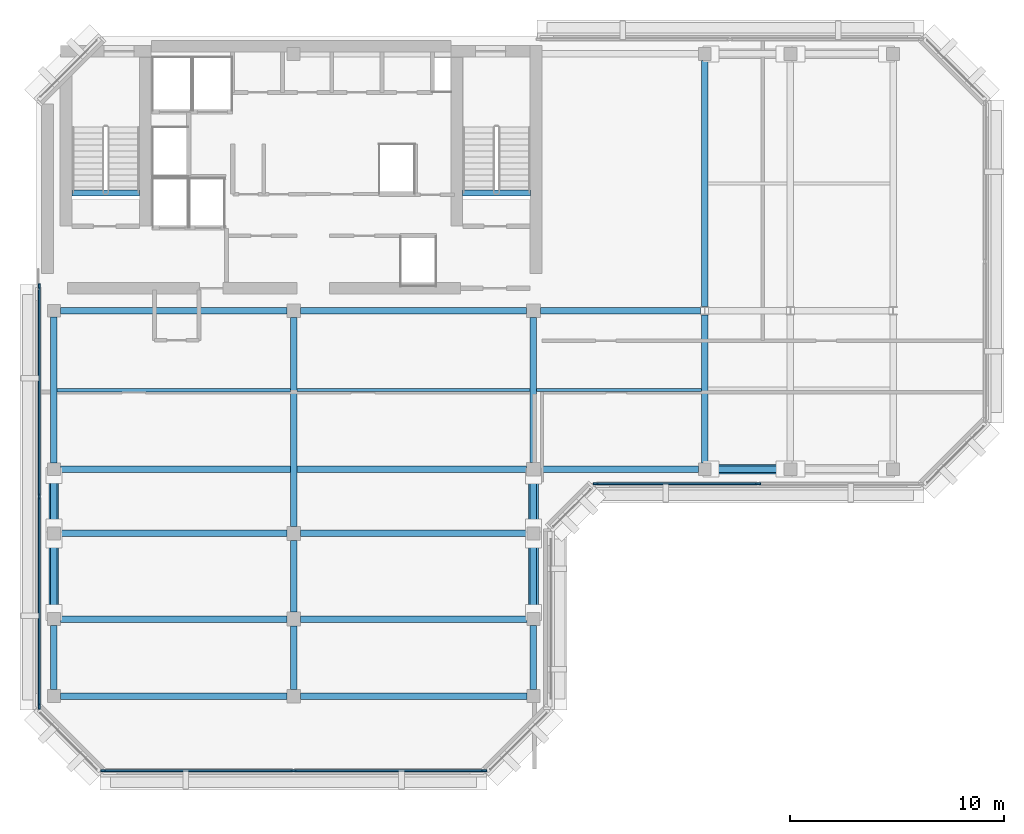
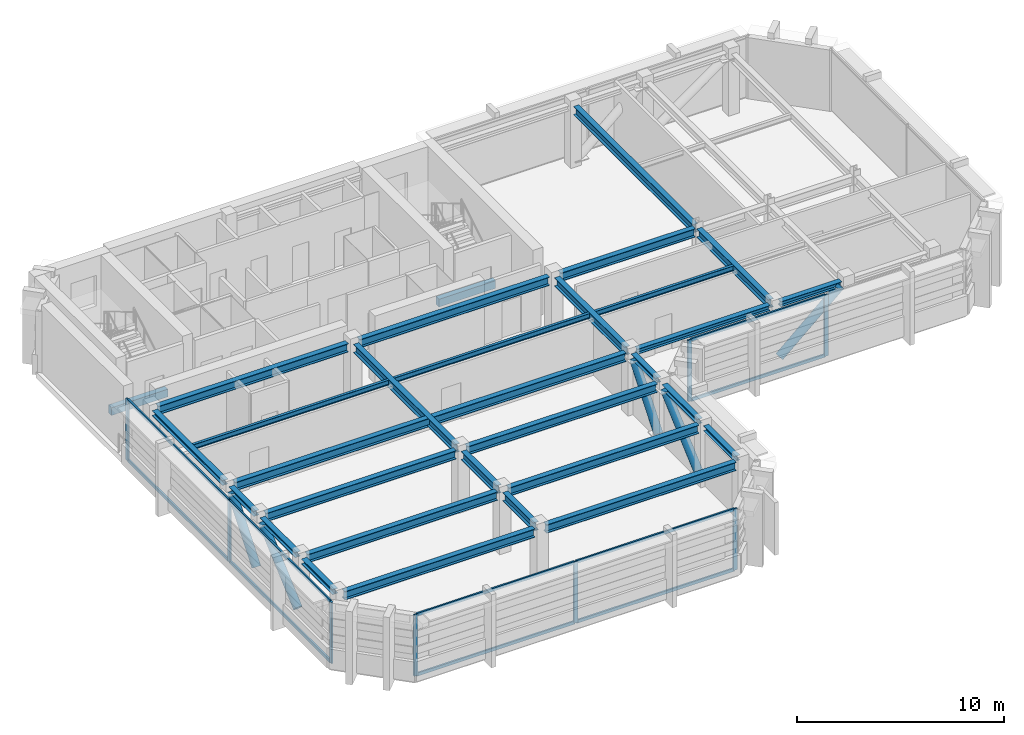
# One storey, part 2 of 9: 30 beams, 23 members, 3 elements without a shape of their own.
"""IFC4 building model written with IfcOpenShell, lengths in metres."""

from ifc_helpers import new_model, si_unit, direction, frame, origin, origin_2d, place, context, subcontext, project, spatial, rectangle, hollow_circle, i_section, extrude, material, layer, layer_set, material_profile, profile_set, type_object, element, aggregate, save


model = new_model("IFC4")

# Units and contexts
model_context = context("Model", 3, precision=1e-05, world=origin(), true_north=direction((0.0, 1.0)))
body_context = subcontext(model_context, "Body", "Model", "MODEL_VIEW")
ifc_project = project(units=[si_unit("LENGTHUNIT", "METRE"), si_unit("AREAUNIT", "SQUARE_METRE"), si_unit("VOLUMEUNIT", "CUBIC_METRE"), si_unit("PLANEANGLEUNIT", "RADIAN"), si_unit("MASSUNIT", "GRAM", prefix="KILO")], contexts=[model_context])

# Site, building, storey
site_placement = place(None, origin())
site = spatial("IfcSite", under=ifc_project, at=site_placement, CompositionType="ELEMENT")
building_placement = place(site_placement, origin())
building = spatial("IfcBuilding", under=site, at=building_placement, Name="Kefirva Bronze Tower", CompositionType="ELEMENT")
storey_placement = place(building_placement, frame((0.0, 0.0, 365.969970703125)))
storey = spatial("IfcBuildingStorey", under=building, at=storey_placement, Name="L89", CompositionType="ELEMENT", Elevation=365.969970703125)

# Curtain wall, members
ifc_material_1 = material(Name="Bronze anodised aluminium", Category="aluminium")
ifc_layer = layer(ifc_material_1, 0.219970703125, Name="Bronze anodised aluminium")
ifc_layer_set = layer_set([ifc_layer], Name="Bronze anodised aluminium")
curtain_wall_type = type_object("IfcCurtainWallType", Name="Refuge Acoustic Louvre Curtain Screen", PredefinedType="USERDEFINED", material=ifc_layer_set)
curtain_wall_1_placement = place(storey_placement, origin())
curtain_wall_1 = element("IfcCurtainWall", 1, at=curtain_wall_1_placement, inside=storey, type_object=curtain_wall_type, Name="L89 Curtain Wall 1", ObjectType="LOUVRE SCREEN WALL", PredefinedType="USERDEFINED")
ifc_material_profile_1 = material_profile(ifc_material_1, rectangle(XDim=0.090087890625, YDim=0.219970703125, at=origin_2d()), Name="ALU 90x220")
ifc_profile_set_1 = profile_set([ifc_material_profile_1], Name="Bronze anodised aluminium")
member_type_1 = type_object("IfcMemberType", Name="Bronze Mullion 90x220", PredefinedType="MULLION", material=ifc_profile_set_1)
member_1_placement = place(storey_placement, frame((3.10009765625, 11.719970703125, 0.0), z_axis=(0.0, 0.0, 1.0), x_axis=(0.0, 1.0, 0.0)))
member_1 = element("IfcMember", 2, at=member_1_placement, type_object=member_type_1, Name="CW-06 mullion 1", PredefinedType="MULLION", context=body_context, shape_type="SweptSolid", body=[
    extrude(rectangle(XDim=0.090087890625, YDim=0.219970703125, at=origin_2d()), origin(), (0.0, 0.0, 1.0), 3.610107421875),
])
member_2_placement = place(storey_placement, frame((12.0, 11.719970703125, 0.0), z_axis=(0.0, 0.0, 1.0), x_axis=(0.0, 1.0, 0.0)))
member_2 = element("IfcMember", 3, at=member_2_placement, type_object=member_type_1, Name="CW-06 mullion 2", PredefinedType="MULLION", context=body_context, shape_type="SweptSolid", body=[
    extrude(rectangle(XDim=0.090087890625, YDim=0.219970703125, at=origin_2d()), origin(), (0.0, 0.0, 1.0), 3.610107421875),
])
member_3_placement = place(storey_placement, frame((20.89990234375, 11.719970703125, 0.0), z_axis=(0.0, 0.0, 1.0), x_axis=(0.0, 1.0, 0.0)))
member_3 = element("IfcMember", 4, at=member_3_placement, type_object=member_type_1, Name="CW-06 mullion 3", PredefinedType="MULLION", context=body_context, shape_type="SweptSolid", body=[
    extrude(rectangle(XDim=0.090087890625, YDim=0.219970703125, at=origin_2d()), origin(), (0.0, 0.0, 1.0), 3.610107421875),
])

curtain_wall_2_placement = place(storey_placement, origin())
curtain_wall_2 = element("IfcCurtainWall", 5, at=curtain_wall_2_placement, inside=storey, type_object=curtain_wall_type, Name="L89 Curtain Wall 2", ObjectType="LOUVRE SCREEN WALL", PredefinedType="USERDEFINED")
member_4_placement = place(storey_placement, frame((26.10009765625, 25.1201171875, 0.0), z_axis=(0.0, 0.0, 1.0), x_axis=(0.0, 1.0, 0.0)))
member_4 = element("IfcMember", 6, at=member_4_placement, type_object=member_type_1, Name="CW-06 mullion 1", PredefinedType="MULLION", context=body_context, shape_type="SweptSolid", body=[
    extrude(rectangle(XDim=0.090087890625, YDim=0.219970703125, at=origin_2d()), origin(), (0.0, 0.0, 1.0), 3.610107421875),
])
member_5_placement = place(storey_placement, frame((33.699951171875, 25.1201171875, 0.0), z_axis=(0.0, 0.0, 1.0), x_axis=(0.0, 1.0, 0.0)))
member_5 = element("IfcMember", 7, at=member_5_placement, type_object=member_type_1, Name="CW-06 mullion 2", PredefinedType="MULLION", context=body_context, shape_type="SweptSolid", body=[
    extrude(rectangle(XDim=0.090087890625, YDim=0.219970703125, at=origin_2d()), origin(), (0.0, 0.0, 1.0), 3.610107421875),
])

curtain_wall_3_placement = place(storey_placement, origin())
curtain_wall_3 = element("IfcCurtainWall", 8, at=curtain_wall_3_placement, inside=storey, type_object=curtain_wall_type, Name="L89 Curtain Wall 5", ObjectType="LOUVRE SCREEN WALL", PredefinedType="USERDEFINED")
member_6_placement = place(storey_placement, frame((0.1201171875, 34.35009765625, 0.0), z_axis=(0.0, 0.0, 1.0), x_axis=(1.0, 0.0, 0.0)))
member_6 = element("IfcMember", 9, at=member_6_placement, type_object=member_type_1, Name="CW-06 mullion 1", PredefinedType="MULLION", context=body_context, shape_type="SweptSolid", body=[
    extrude(rectangle(XDim=0.090087890625, YDim=0.219970703125, at=origin_2d()), origin(), (0.0, 0.0, 1.0), 3.610107421875),
])
member_7_placement = place(storey_placement, frame((0.1201171875, 24.52490234375, 0.0), z_axis=(0.0, 0.0, 1.0), x_axis=(1.0, 0.0, 0.0)))
member_7 = element("IfcMember", 10, at=member_7_placement, type_object=member_type_1, Name="CW-06 mullion 2", PredefinedType="MULLION", context=body_context, shape_type="SweptSolid", body=[
    extrude(rectangle(XDim=0.090087890625, YDim=0.219970703125, at=origin_2d()), origin(), (0.0, 0.0, 1.0), 3.610107421875),
])
member_8_placement = place(storey_placement, frame((0.1201171875, 14.699951171875, 0.0), z_axis=(0.0, 0.0, 1.0), x_axis=(1.0, 0.0, 0.0)))
member_8 = element("IfcMember", 11, at=member_8_placement, type_object=member_type_1, Name="CW-06 mullion 3", PredefinedType="MULLION", context=body_context, shape_type="SweptSolid", body=[
    extrude(rectangle(XDim=0.090087890625, YDim=0.219970703125, at=origin_2d()), origin(), (0.0, 0.0, 1.0), 3.610107421875),
])

# Member
ifc_material_profile_2 = material_profile(ifc_material_1, rectangle(XDim=0.090087890625, YDim=0.179931640625, at=origin_2d()), Name="ALU 90x180")
ifc_profile_set_2 = profile_set([ifc_material_profile_2], Name="Bronze anodised aluminium")
member_type_2 = type_object("IfcMemberType", Name="Bronze Transom 90x180", PredefinedType="USERDEFINED", material=ifc_profile_set_2)
member_9_placement = place(storey_placement, frame((3.14501953125, 11.719970703125, 0.044921875), z_axis=(1.0, 0.0, 0.0), x_axis=(0.0, 1.0, 0.0)))
member_9 = element("IfcMember", 12, at=member_9_placement, type_object=member_type_2, Name="CW-06 transom 1.1", ObjectType="TRANSOM", PredefinedType="USERDEFINED", context=body_context, shape_type="SweptSolid", body=[
    extrude(rectangle(XDim=0.090087890625, YDim=0.179931640625, at=origin_2d()), origin(), (0.0, 0.0, 1.0), 8.81005859375),
])

member_10_placement = place(storey_placement, frame((3.14501953125, 11.719970703125, 3.56494140625), z_axis=(1.0, 0.0, 0.0), x_axis=(0.0, 1.0, 0.0)))
member_10 = element("IfcMember", 13, at=member_10_placement, type_object=member_type_2, Name="CW-06 transom 1.2", ObjectType="TRANSOM", PredefinedType="USERDEFINED", context=body_context, shape_type="SweptSolid", body=[
    extrude(rectangle(XDim=0.090087890625, YDim=0.179931640625, at=origin_2d()), origin(), (0.0, 0.0, 1.0), 8.81005859375),
])

member_11_placement = place(storey_placement, frame((12.044921875, 11.719970703125, 0.044921875), z_axis=(1.0, 0.0, 0.0), x_axis=(0.0, 1.0, 0.0)))
member_11 = element("IfcMember", 14, at=member_11_placement, type_object=member_type_2, Name="CW-06 transom 2.1", ObjectType="TRANSOM", PredefinedType="USERDEFINED", context=body_context, shape_type="SweptSolid", body=[
    extrude(rectangle(XDim=0.090087890625, YDim=0.179931640625, at=origin_2d()), origin(), (0.0, 0.0, 1.0), 8.81005859375),
])

member_12_placement = place(storey_placement, frame((12.044921875, 11.719970703125, 3.56494140625), z_axis=(1.0, 0.0, 0.0), x_axis=(0.0, 1.0, 0.0)))
member_12 = element("IfcMember", 15, at=member_12_placement, type_object=member_type_2, Name="CW-06 transom 2.2", ObjectType="TRANSOM", PredefinedType="USERDEFINED", context=body_context, shape_type="SweptSolid", body=[
    extrude(rectangle(XDim=0.090087890625, YDim=0.179931640625, at=origin_2d()), origin(), (0.0, 0.0, 1.0), 8.81005859375),
])

aggregate(curtain_wall_1, [member_1, member_2, member_3, member_9, member_10, member_11, member_12])

member_13_placement = place(storey_placement, frame((26.14501953125, 25.1201171875, 0.044921875), z_axis=(1.0, 0.0, 0.0), x_axis=(0.0, 1.0, 0.0)))
member_13 = element("IfcMember", 16, at=member_13_placement, type_object=member_type_2, Name="CW-06 transom 1.1", ObjectType="TRANSOM", PredefinedType="USERDEFINED", context=body_context, shape_type="SweptSolid", body=[
    extrude(rectangle(XDim=0.090087890625, YDim=0.179931640625, at=origin_2d()), origin(), (0.0, 0.0, 1.0), 7.510009765625),
])

member_14_placement = place(storey_placement, frame((26.14501953125, 25.1201171875, 3.56494140625), z_axis=(1.0, 0.0, 0.0), x_axis=(0.0, 1.0, 0.0)))
member_14 = element("IfcMember", 17, at=member_14_placement, type_object=member_type_2, Name="CW-06 transom 1.2", ObjectType="TRANSOM", PredefinedType="USERDEFINED", context=body_context, shape_type="SweptSolid", body=[
    extrude(rectangle(XDim=0.090087890625, YDim=0.179931640625, at=origin_2d()), origin(), (0.0, 0.0, 1.0), 7.510009765625),
])

aggregate(curtain_wall_2, [member_4, member_5, member_13, member_14])

member_15_placement = place(storey_placement, frame((0.1201171875, 34.304931640625, 0.044921875), z_axis=(0.0, -1.0, 0.0), x_axis=(1.0, 0.0, 0.0)))
member_15 = element("IfcMember", 18, at=member_15_placement, type_object=member_type_2, Name="CW-06 transom 1.1", ObjectType="TRANSOM", PredefinedType="USERDEFINED", context=body_context, shape_type="SweptSolid", body=[
    extrude(rectangle(XDim=0.090087890625, YDim=0.179931640625, at=origin_2d()), origin(), (0.0, 0.0, 1.0), 9.73486328125),
])

member_16_placement = place(storey_placement, frame((0.1201171875, 34.304931640625, 3.56494140625), z_axis=(0.0, -1.0, 0.0), x_axis=(1.0, 0.0, 0.0)))
member_16 = element("IfcMember", 19, at=member_16_placement, type_object=member_type_2, Name="CW-06 transom 1.2", ObjectType="TRANSOM", PredefinedType="USERDEFINED", context=body_context, shape_type="SweptSolid", body=[
    extrude(rectangle(XDim=0.090087890625, YDim=0.179931640625, at=origin_2d()), origin(), (0.0, 0.0, 1.0), 9.73486328125),
])

member_17_placement = place(storey_placement, frame((0.1201171875, 24.47998046875, 0.044921875), z_axis=(0.0, -1.0, 0.0), x_axis=(1.0, 0.0, 0.0)))
member_17 = element("IfcMember", 20, at=member_17_placement, type_object=member_type_2, Name="CW-06 transom 2.1", ObjectType="TRANSOM", PredefinedType="USERDEFINED", context=body_context, shape_type="SweptSolid", body=[
    extrude(rectangle(XDim=0.090087890625, YDim=0.179931640625, at=origin_2d()), origin(), (0.0, 0.0, 1.0), 9.73486328125),
])

member_18_placement = place(storey_placement, frame((0.1201171875, 24.47998046875, 3.56494140625), z_axis=(0.0, -1.0, 0.0), x_axis=(1.0, 0.0, 0.0)))
member_18 = element("IfcMember", 21, at=member_18_placement, type_object=member_type_2, Name="CW-06 transom 2.2", ObjectType="TRANSOM", PredefinedType="USERDEFINED", context=body_context, shape_type="SweptSolid", body=[
    extrude(rectangle(XDim=0.090087890625, YDim=0.179931640625, at=origin_2d()), origin(), (0.0, 0.0, 1.0), 9.73486328125),
])

aggregate(curtain_wall_3, [member_6, member_7, member_8, member_15, member_16, member_17, member_18])

# Beams
ifc_material_2 = material(Name="Concrete C50/60", Category="concrete")
ifc_material_profile_3 = material_profile(ifc_material_2, rectangle(XDim=0.300048828125, YDim=0.449951171875, at=origin_2d()), Name="RC 300x450")
ifc_profile_set_3 = profile_set([ifc_material_profile_3], Name="Concrete C50/60")
beam_type_1 = type_object("IfcBeamType", Name="RC Stair Trimmer Beam 300x450", PredefinedType="BEAM", material=ifc_profile_set_3)
beam_1_placement = place(storey_placement, frame((1.64501953125, 38.699951171875, -0.224853515625), z_axis=(1.0, 0.0, 0.0), x_axis=(0.0, 1.0, 0.0)))
element("IfcBeam", 22, at=beam_1_placement, inside=storey, type_object=beam_type_1, Name="L89 Stair 1 Landing Trimmer Beam", PredefinedType="BEAM", context=body_context, shape_type="SweptSolid", body=[
    extrude(rectangle(XDim=0.300048828125, YDim=0.449951171875, at=origin_2d()), origin(), (0.0, 0.0, 1.0), 3.14990234375),
])
beam_2_placement = place(storey_placement, frame((19.89501953125, 38.699951171875, -0.224853515625), z_axis=(1.0, 0.0, 0.0), x_axis=(0.0, 1.0, 0.0)))
element("IfcBeam", 23, at=beam_2_placement, inside=storey, type_object=beam_type_1, Name="L89 Stair 2 Landing Trimmer Beam", PredefinedType="BEAM", context=body_context, shape_type="SweptSolid", body=[
    extrude(rectangle(XDim=0.300048828125, YDim=0.449951171875, at=origin_2d()), origin(), (0.0, 0.0, 1.0), 3.159912109375),
])
ifc_material_3 = material(Name="Steel S355", Category="steel")
ifc_material_profile_4 = material_profile(ifc_material_3, i_section(OverallWidth=0.14990234375, OverallDepth=0.300048828125, WebThickness=0.007080078125, FlangeThickness=0.0107421875, at=origin_2d()), Name="IPE 300")
ifc_profile_set_4 = profile_set([ifc_material_profile_4], Name="Steel S355")
beam_type_2 = type_object("IfcBeamType", Name="Steel Floor Joist IPE 300", PredefinedType="JOIST", material=ifc_profile_set_4)
for number, where, z_axis, x_axis, name in (
    (24, (0.949951171875, 29.489990234375, 3.4599609375), (1.0, 0.0, 0.0), (0.0, 1.0, 0.0), "L89 JST-L89-0-294"),
    (25, (12.14990234375, 29.5, 3.4599609375), (1.0, 0.0, 0.0), (0.0, 1.0, 0.0), "L89 JST-L89-12-295"),
):
    element("IfcBeam", number, at=place(storey_placement, frame(where, z_axis=z_axis, x_axis=x_axis)), inside=storey, type_object=beam_type_2, Name=name, PredefinedType="JOIST", context=body_context, shape_type="SweptSolid", body=[
        extrude(i_section(OverallWidth=0.14990234375, OverallDepth=0.300048828125, WebThickness=0.007080078125, FlangeThickness=0.0107421875, at=origin_2d()), origin(), (0.0, 0.0, 1.0), 10.900146484375),
    ])
beam_3_placement = place(storey_placement, frame((23.35009765625, 29.5, 3.4599609375), z_axis=(1.0, 0.0, 0.0), x_axis=(0.0, 1.0, 0.0)))
element("IfcBeam", 26, at=beam_3_placement, inside=storey, type_object=beam_type_2, Name="L89 JST-L89-23-295", PredefinedType="JOIST", context=body_context, shape_type="SweptSolid", body=[
    extrude(i_section(OverallWidth=0.14990234375, OverallDepth=0.300048828125, WebThickness=0.007080078125, FlangeThickness=0.0107421875, at=origin_2d()), origin(), (0.0, 0.0, 1.0), 7.699951171875),
])
ifc_material_profile_5 = material_profile(ifc_material_3, i_section(OverallWidth=0.300048828125, OverallDepth=0.5, WebThickness=0.014404296875, FlangeThickness=0.028076171875, at=origin_2d()), Name="HEB 500")
ifc_profile_set_5 = profile_set([ifc_material_profile_5], Name="Steel S355")
beam_type_3 = type_object("IfcBeamType", Name="Steel Girder HEB 500", PredefinedType="USERDEFINED", material=ifc_profile_set_5)
for number, where, z_axis, x_axis, name in (
    (27, (1.10009765625, 15.199951171875, 3.360107421875), (1.0, 0.0, 0.0), (0.0, 1.0, 0.0), "L89 BM-L89-EW-0-152"),
    (28, (12.320068359375, 15.199951171875, 3.360107421875), (1.0, 0.0, 0.0), (0.0, 1.0, 0.0), "L89 BM-L89-EW-12-152"),
    (29, (1.10009765625, 18.800048828125, 3.360107421875), (1.0, 0.0, 0.0), (0.0, 1.0, 0.0), "L89 BM-L89-EW-0-188"),
    (30, (12.320068359375, 18.800048828125, 3.360107421875), (1.0, 0.0, 0.0), (0.0, 1.0, 0.0), "L89 BM-L89-EW-12-188"),
    (31, (1.10009765625, 22.800048828125, 3.360107421875), (1.0, 0.0, 0.0), (0.0, 1.0, 0.0), "L89 BM-L89-EW-0-228"),
    (32, (12.320068359375, 22.800048828125, 3.360107421875), (1.0, 0.0, 0.0), (0.0, 1.0, 0.0), "L89 BM-L89-EW-12-228"),
):
    element("IfcBeam", number, at=place(storey_placement, frame(where, z_axis=z_axis, x_axis=x_axis)), inside=storey, type_object=beam_type_3, Name=name, ObjectType="GIRDER", PredefinedType="USERDEFINED", context=body_context, shape_type="SweptSolid", body=[
        extrude(i_section(OverallWidth=0.300048828125, OverallDepth=0.5, WebThickness=0.014404296875, FlangeThickness=0.028076171875, at=origin_2d()), origin(), (0.0, 0.0, 1.0), 10.579833984375),
    ])
beam_4_placement = place(storey_placement, frame((1.10009765625, 25.800048828125, 3.360107421875), z_axis=(1.0, 0.0, 0.0), x_axis=(0.0, 1.0, 0.0)))
element("IfcBeam", 33, at=beam_4_placement, inside=storey, type_object=beam_type_3, Name="L89 BM-L89-EW-0-258", ObjectType="GIRDER", PredefinedType="USERDEFINED", context=body_context, shape_type="SweptSolid", body=[
    extrude(i_section(OverallWidth=0.300048828125, OverallDepth=0.5, WebThickness=0.014404296875, FlangeThickness=0.028076171875, at=origin_2d()), origin(), (0.0, 0.0, 1.0), 21.77978515625),
])
beam_5_placement = place(storey_placement, frame((1.10009765625, 33.199951171875, 3.360107421875), z_axis=(1.0, 0.0, 0.0), x_axis=(0.0, 1.0, 0.0)))
element("IfcBeam", 34, at=beam_5_placement, inside=storey, type_object=beam_type_3, Name="L89 BM-L89-EW-0-332", ObjectType="GIRDER", PredefinedType="USERDEFINED", context=body_context, shape_type="SweptSolid", body=[
    extrude(i_section(OverallWidth=0.300048828125, OverallDepth=0.5, WebThickness=0.014404296875, FlangeThickness=0.028076171875, at=origin_2d()), origin(), (0.0, 0.0, 1.0), 10.579833984375),
])
beam_6_placement = place(storey_placement, frame((12.320068359375, 33.199951171875, 3.360107421875), z_axis=(1.0, 0.0, 0.0), x_axis=(0.0, 1.0, 0.0)))
element("IfcBeam", 35, at=beam_6_placement, inside=storey, type_object=beam_type_3, Name="L89 BM-L89-EW-12-332", ObjectType="GIRDER", PredefinedType="USERDEFINED", context=body_context, shape_type="SweptSolid", body=[
    extrude(i_section(OverallWidth=0.300048828125, OverallDepth=0.5, WebThickness=0.014404296875, FlangeThickness=0.028076171875, at=origin_2d()), origin(), (0.0, 0.0, 1.0), 10.559814453125),
])
beam_7_placement = place(storey_placement, frame((23.52001953125, 33.199951171875, 3.360107421875), z_axis=(1.0, 0.0, 0.0), x_axis=(0.0, 1.0, 0.0)))
element("IfcBeam", 36, at=beam_7_placement, inside=storey, type_object=beam_type_3, Name="L89 BM-L89-EW-23-332", ObjectType="GIRDER", PredefinedType="USERDEFINED", context=body_context, shape_type="SweptSolid", body=[
    extrude(i_section(OverallWidth=0.300048828125, OverallDepth=0.5, WebThickness=0.014404296875, FlangeThickness=0.028076171875, at=origin_2d()), origin(), (0.0, 0.0, 1.0), 7.491455078125),
])
beam_8_placement = place(storey_placement, frame((12.0, 15.52001953125, 3.360107421875), z_axis=(0.0, 1.0, 0.0), x_axis=(-1.0, 0.0, 0.0)))
element("IfcBeam", 37, at=beam_8_placement, inside=storey, type_object=beam_type_3, Name="L89 BM-L89-NS-120-15", ObjectType="GIRDER", PredefinedType="USERDEFINED", context=body_context, shape_type="SweptSolid", body=[
    extrude(i_section(OverallWidth=0.300048828125, OverallDepth=0.5, WebThickness=0.014404296875, FlangeThickness=0.028076171875, at=origin_2d()), origin(), (0.0, 0.0, 1.0), 2.9599609375),
])
beam_9_placement = place(storey_placement, frame((12.0, 19.1201171875, 3.360107421875), z_axis=(0.0, 1.0, 0.0), x_axis=(-1.0, 0.0, 0.0)))
element("IfcBeam", 38, at=beam_9_placement, inside=storey, type_object=beam_type_3, Name="L89 BM-L89-NS-120-18", ObjectType="GIRDER", PredefinedType="USERDEFINED", context=body_context, shape_type="SweptSolid", body=[
    extrude(i_section(OverallWidth=0.300048828125, OverallDepth=0.5, WebThickness=0.014404296875, FlangeThickness=0.028076171875, at=origin_2d()), origin(), (0.0, 0.0, 1.0), 3.35986328125),
])
beam_10_placement = place(storey_placement, frame((12.0, 23.1201171875, 3.360107421875), z_axis=(0.0, 1.0, 0.0), x_axis=(-1.0, 0.0, 0.0)))
element("IfcBeam", 39, at=beam_10_placement, inside=storey, type_object=beam_type_3, Name="L89 BM-L89-NS-120-22", ObjectType="GIRDER", PredefinedType="USERDEFINED", context=body_context, shape_type="SweptSolid", body=[
    extrude(i_section(OverallWidth=0.300048828125, OverallDepth=0.5, WebThickness=0.014404296875, FlangeThickness=0.028076171875, at=origin_2d()), origin(), (0.0, 0.0, 1.0), 9.759765625),
])
beam_11_placement = place(storey_placement, frame((23.199951171875, 26.1201171875, 3.360107421875), z_axis=(0.0, 1.0, 0.0), x_axis=(-1.0, 0.0, 0.0)))
element("IfcBeam", 40, at=beam_11_placement, inside=storey, type_object=beam_type_3, Name="L89 BM-L89-NS-232-25", ObjectType="GIRDER", PredefinedType="USERDEFINED", context=body_context, shape_type="SweptSolid", body=[
    extrude(i_section(OverallWidth=0.300048828125, OverallDepth=0.5, WebThickness=0.014404296875, FlangeThickness=0.028076171875, at=origin_2d()), origin(), (0.0, 0.0, 1.0), 6.759765625),
])
beam_12_placement = place(storey_placement, frame((31.199951171875, 26.10009765625, 3.360107421875), z_axis=(0.0, 1.0, 0.0), x_axis=(-1.0, 0.0, 0.0)))
element("IfcBeam", 41, at=beam_12_placement, inside=storey, type_object=beam_type_3, Name="L89 BM-L89-NS-312-25", ObjectType="GIRDER", PredefinedType="USERDEFINED", context=body_context, shape_type="SweptSolid", body=[
    extrude(i_section(OverallWidth=0.300048828125, OverallDepth=0.5, WebThickness=0.014404296875, FlangeThickness=0.028076171875, at=origin_2d()), origin(), (0.0, 0.0, 1.0), 6.906494140625),
])
beam_13_placement = place(storey_placement, frame((31.199951171875, 33.3935546875, 3.360107421875), z_axis=(0.0, 1.0, 0.0), x_axis=(-1.0, 0.0, 0.0)))
element("IfcBeam", 42, at=beam_13_placement, inside=storey, type_object=beam_type_3, Name="L89 BM-L89-NS-312-33", ObjectType="GIRDER", PredefinedType="USERDEFINED", context=body_context, shape_type="SweptSolid", body=[
    extrude(i_section(OverallWidth=0.300048828125, OverallDepth=0.5, WebThickness=0.014404296875, FlangeThickness=0.028076171875, at=origin_2d()), origin(), (0.0, 0.0, 1.0), 11.50634765625),
])

# Members
ifc_material_4 = material(Name="Steel S460", Category="steel")
ifc_material_profile_6 = material_profile(ifc_material_4, hollow_circle(Radius=0.228515625, WallThickness=0.01611328125, at=origin_2d()), Name="CHS 457x16")
ifc_profile_set_6 = profile_set([ifc_material_profile_6], Name="Steel S460")
member_type_3 = type_object("IfcMemberType", Name="Steel Portal Brace CHS 457x16", PredefinedType="BRACE", material=ifc_profile_set_6)
member_19_placement = place(storey_placement, frame((0.800048828125, 19.10009765625, 0.300048828125), z_axis=(0.0, 0.748733790472, 0.662870810192), x_axis=(-1.0, 0.0, 0.0)))
element("IfcMember", 43, at=member_19_placement, inside=storey, type_object=member_type_3, Name="L89 Outrigger Belt Brace 1", PredefinedType="BRACE", context=body_context, shape_type="SweptSolid", body=[
    extrude(hollow_circle(Radius=0.228515625, WallThickness=0.01611328125, at=origin_2d()), origin(), (0.0, 0.0, 1.0), 4.540771484375),
])
member_20_placement = place(storey_placement, frame((0.800048828125, 23.10009765625, 0.300048828125), z_axis=(0.0, 0.623410351919, 0.781894835077), x_axis=(-1.0, 0.0, 0.0)))
element("IfcMember", 44, at=member_20_placement, inside=storey, type_object=member_type_3, Name="L89 Outrigger Belt Brace 2", PredefinedType="BRACE", context=body_context, shape_type="SweptSolid", body=[
    extrude(hollow_circle(Radius=0.228515625, WallThickness=0.01611328125, at=origin_2d()), origin(), (0.0, 0.0, 1.0), 3.849609375),
])
member_21_placement = place(storey_placement, frame((23.199951171875, 19.10009765625, 0.300048828125), z_axis=(0.0, 0.748733790472, 0.662870810192), x_axis=(-1.0, 0.0, 0.0)))
element("IfcMember", 45, at=member_21_placement, inside=storey, type_object=member_type_3, Name="L89 Outrigger Belt Brace 3", PredefinedType="BRACE", context=body_context, shape_type="SweptSolid", body=[
    extrude(hollow_circle(Radius=0.228515625, WallThickness=0.01611328125, at=origin_2d()), origin(), (0.0, 0.0, 1.0), 4.540771484375),
])
member_22_placement = place(storey_placement, frame((23.199951171875, 23.10009765625, 0.300048828125), z_axis=(0.0, 0.620215554161, 0.784431428729), x_axis=(-1.0, 0.0, 0.0)))
element("IfcMember", 46, at=member_22_placement, inside=storey, type_object=member_type_3, Name="L89 Outrigger Belt Brace 4", PredefinedType="BRACE", context=body_context, shape_type="SweptSolid", body=[
    extrude(hollow_circle(Radius=0.228515625, WallThickness=0.01611328125, at=origin_2d()), origin(), (0.0, 0.0, 1.0), 3.837158203125),
])
member_23_placement = place(storey_placement, frame((31.5, 25.800048828125, 0.300048828125), z_axis=(0.748733790472, 0.0, 0.662870810192), x_axis=(0.0, 1.0, 0.0)))
element("IfcMember", 47, at=member_23_placement, inside=storey, type_object=member_type_3, Name="L89 Outrigger Belt Brace 5", PredefinedType="BRACE", context=body_context, shape_type="SweptSolid", body=[
    extrude(hollow_circle(Radius=0.228515625, WallThickness=0.01611328125, at=origin_2d()), origin(), (0.0, 0.0, 1.0), 4.540771484375),
])

# Beams
ifc_material_profile_7 = material_profile(ifc_material_3, i_section(OverallWidth=0.300048828125, OverallDepth=0.300048828125, WebThickness=0.010986328125, FlangeThickness=0.01904296875, at=origin_2d()), Name="HEB 300")
ifc_profile_set_7 = profile_set([ifc_material_profile_7], Name="Steel S355")
beam_type_4 = type_object("IfcBeamType", Name="Steel Spandrel HEB 300 Ext", PredefinedType="SPANDREL", material=ifc_profile_set_7)
beam_14_placement = place(storey_placement, frame((23.52001953125, 25.800048828125, 3.4599609375), z_axis=(1.0, 0.0, 0.0), x_axis=(0.0, 1.0, 0.0)))
element("IfcBeam", 48, at=beam_14_placement, inside=storey, type_object=beam_type_4, Name="L89 BM-L89-EW-23-258", PredefinedType="SPANDREL", context=body_context, shape_type="SweptSolid", body=[
    extrude(i_section(OverallWidth=0.300048828125, OverallDepth=0.300048828125, WebThickness=0.010986328125, FlangeThickness=0.01904296875, at=origin_2d()), origin(), (0.0, 0.0, 1.0), 7.3798828125),
])
beam_15_placement = place(storey_placement, frame((31.5, 25.800048828125, 3.4599609375), z_axis=(1.0, 0.0, 0.0), x_axis=(0.0, 1.0, 0.0)))
element("IfcBeam", 49, at=beam_15_placement, inside=storey, type_object=beam_type_4, Name="L89 BM-L89-EW-31-258", PredefinedType="SPANDREL", context=body_context, shape_type="SweptSolid", body=[
    extrude(i_section(OverallWidth=0.300048828125, OverallDepth=0.300048828125, WebThickness=0.010986328125, FlangeThickness=0.01904296875, at=origin_2d()), origin(), (0.0, 0.0, 1.0), 3.39990234375),
])
beam_16_placement = place(storey_placement, frame((0.800048828125, 15.5, 3.4599609375), z_axis=(0.0, 1.0, 0.0), x_axis=(-1.0, 0.0, 0.0)))
element("IfcBeam", 50, at=beam_16_placement, inside=storey, type_object=beam_type_4, Name="L89 BM-L89-NS-8-15", PredefinedType="SPANDREL", context=body_context, shape_type="SweptSolid", body=[
    extrude(i_section(OverallWidth=0.300048828125, OverallDepth=0.300048828125, WebThickness=0.010986328125, FlangeThickness=0.01904296875, at=origin_2d()), origin(), (0.0, 0.0, 1.0), 3.0),
])
beam_17_placement = place(storey_placement, frame((0.800048828125, 19.10009765625, 3.4599609375), z_axis=(0.0, 1.0, 0.0), x_axis=(-1.0, 0.0, 0.0)))
element("IfcBeam", 51, at=beam_17_placement, inside=storey, type_object=beam_type_4, Name="L89 BM-L89-NS-8-18", PredefinedType="SPANDREL", context=body_context, shape_type="SweptSolid", body=[
    extrude(i_section(OverallWidth=0.300048828125, OverallDepth=0.300048828125, WebThickness=0.010986328125, FlangeThickness=0.01904296875, at=origin_2d()), origin(), (0.0, 0.0, 1.0), 3.39990234375),
])
beam_18_placement = place(storey_placement, frame((0.800048828125, 23.10009765625, 3.4599609375), z_axis=(0.0, 1.0, 0.0), x_axis=(-1.0, 0.0, 0.0)))
element("IfcBeam", 52, at=beam_18_placement, inside=storey, type_object=beam_type_4, Name="L89 BM-L89-NS-8-22", PredefinedType="SPANDREL", context=body_context, shape_type="SweptSolid", body=[
    extrude(i_section(OverallWidth=0.300048828125, OverallDepth=0.300048828125, WebThickness=0.010986328125, FlangeThickness=0.01904296875, at=origin_2d()), origin(), (0.0, 0.0, 1.0), 2.39990234375),
])
beam_19_placement = place(storey_placement, frame((0.800048828125, 26.10009765625, 3.4599609375), z_axis=(0.0, 1.0, 0.0), x_axis=(-1.0, 0.0, 0.0)))
element("IfcBeam", 53, at=beam_19_placement, inside=storey, type_object=beam_type_4, Name="L89 BM-L89-NS-8-25", PredefinedType="SPANDREL", context=body_context, shape_type="SweptSolid", body=[
    extrude(i_section(OverallWidth=0.300048828125, OverallDepth=0.300048828125, WebThickness=0.010986328125, FlangeThickness=0.01904296875, at=origin_2d()), origin(), (0.0, 0.0, 1.0), 6.7998046875),
])
beam_20_placement = place(storey_placement, frame((23.199951171875, 15.5, 3.4599609375), z_axis=(0.0, 1.0, 0.0), x_axis=(-1.0, 0.0, 0.0)))
element("IfcBeam", 54, at=beam_20_placement, inside=storey, type_object=beam_type_4, Name="L89 BM-L89-NS-232-15", PredefinedType="SPANDREL", context=body_context, shape_type="SweptSolid", body=[
    extrude(i_section(OverallWidth=0.300048828125, OverallDepth=0.300048828125, WebThickness=0.010986328125, FlangeThickness=0.01904296875, at=origin_2d()), origin(), (0.0, 0.0, 1.0), 3.0),
])
beam_21_placement = place(storey_placement, frame((23.199951171875, 19.10009765625, 3.4599609375), z_axis=(0.0, 1.0, 0.0), x_axis=(-1.0, 0.0, 0.0)))
element("IfcBeam", 55, at=beam_21_placement, inside=storey, type_object=beam_type_4, Name="L89 BM-L89-NS-232-18", PredefinedType="SPANDREL", context=body_context, shape_type="SweptSolid", body=[
    extrude(i_section(OverallWidth=0.300048828125, OverallDepth=0.300048828125, WebThickness=0.010986328125, FlangeThickness=0.01904296875, at=origin_2d()), origin(), (0.0, 0.0, 1.0), 3.39990234375),
])
beam_22_placement = place(storey_placement, frame((23.199951171875, 23.10009765625, 3.4599609375), z_axis=(0.0, 1.0, 0.0), x_axis=(-1.0, 0.0, 0.0)))
element("IfcBeam", 56, at=beam_22_placement, inside=storey, type_object=beam_type_4, Name="L89 BM-L89-NS-232-22", PredefinedType="SPANDREL", context=body_context, shape_type="SweptSolid", body=[
    extrude(i_section(OverallWidth=0.300048828125, OverallDepth=0.300048828125, WebThickness=0.010986328125, FlangeThickness=0.01904296875, at=origin_2d()), origin(), (0.0, 0.0, 1.0), 2.3798828125),
])

save(model, "model.ifc")
